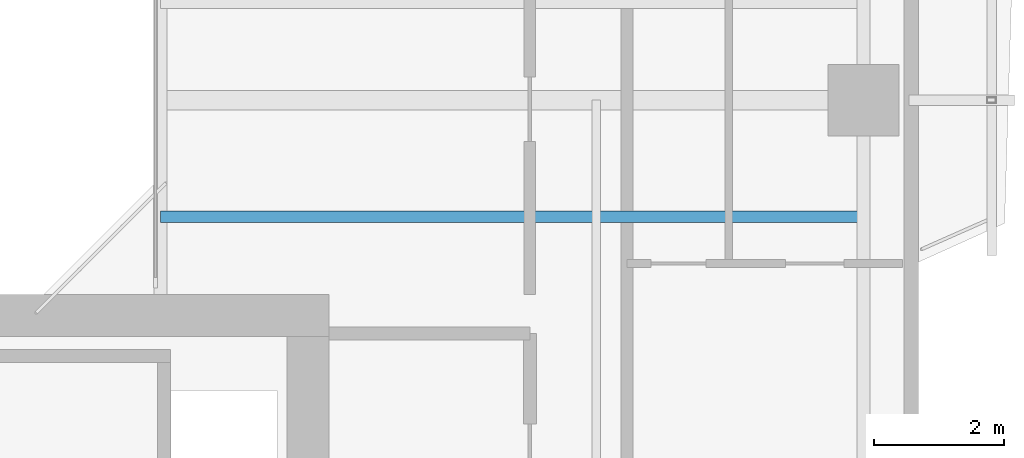
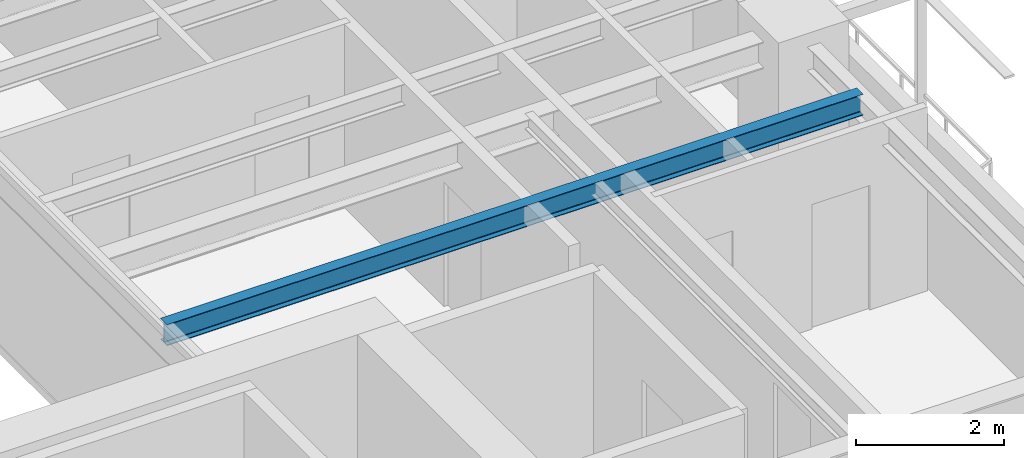
# One storey, part 3 of 16: 1 beam.
"""IFC4 building model written with IfcOpenShell, lengths in metres."""

from ifc_helpers import new_model, si_unit, direction, frame, origin, origin_2d, place, context, subcontext, project, spatial, i_section, extrude, source, transform, mapped, material, material_profile, profile_set, type_object, element, save


model = new_model("IFC4")

# Units and contexts
model_context = context("Model", 3, precision=1e-05, world=origin(), true_north=direction((0.0, 1.0)))
body_context = subcontext(model_context, "Body", "Model", "MODEL_VIEW")
ifc_project = project(units=[si_unit("LENGTHUNIT", "METRE"), si_unit("AREAUNIT", "SQUARE_METRE"), si_unit("VOLUMEUNIT", "CUBIC_METRE"), si_unit("PLANEANGLEUNIT", "RADIAN"), si_unit("MASSUNIT", "GRAM", prefix="KILO"), si_unit("THERMODYNAMICTEMPERATUREUNIT", "KELVIN"), si_unit("POWERUNIT", "WATT")], contexts=[model_context])

# Site, building, storey
site_placement = place(None, origin())
site = spatial("IfcSite", under=ifc_project, at=site_placement, CompositionType="ELEMENT")
building_placement = place(site_placement, origin())
building = spatial("IfcBuilding", under=site, at=building_placement, Name="Qiaomeng Ring Towers", CompositionType="ELEMENT")
storey_placement = place(building_placement, frame((0.0, 0.0, 136.0)))
storey = spatial("IfcBuildingStorey", under=building, at=storey_placement, Name="L39", CompositionType="ELEMENT", Elevation=136.0)

# Beam
ifc_material = material(Name="Steel Q355B", Category="steel")
ifc_material_profile = material_profile(ifc_material, i_section(OverallWidth=0.175048828125, OverallDepth=0.35009765625, WebThickness=0.007080078125, FlangeThickness=0.010986328125, FilletRadius=0.013916015625, at=origin_2d()), Name="HN 350x175x7x11")
ifc_profile_set = profile_set([ifc_material_profile], Name="Steel Q355B")
beam_type = type_object("IfcBeamType", Name="STR-BM-HN350", PredefinedType="JOIST", material=ifc_profile_set)
shared_shape = source(origin(), body_context, "Body", "SweptSolid", [
    extrude(i_section(OverallWidth=0.175048828125, OverallDepth=0.35009765625, WebThickness=0.007080078125, FlangeThickness=0.010986328125, FilletRadius=0.013916015625, at=origin_2d()), origin(), (0.0, 0.0, 1.0), 10.85009765625),
])
beam_placement = place(storey_placement, frame((25.199951171875, 18.199951171875, 2.85498046875), z_axis=(1.0, 0.0, 0.0), x_axis=(0.0, 1.0, 0.0)))
element("IfcBeam", 1, at=beam_placement, inside=storey, type_object=beam_type, Name="L39 beam STR-JST-L39-T1E-1", PredefinedType="JOIST", context=body_context, shape_type="MappedRepresentation", body=[
    mapped(shared_shape, transform((0.0, 0.0, 0.0), x_axis=(1.0, 0.0, 0.0), y_axis=(0.0, 1.0, 0.0), z_axis=(0.0, 0.0, 1.0), scale=1.0)),
])

save(model, "model.ifc")
